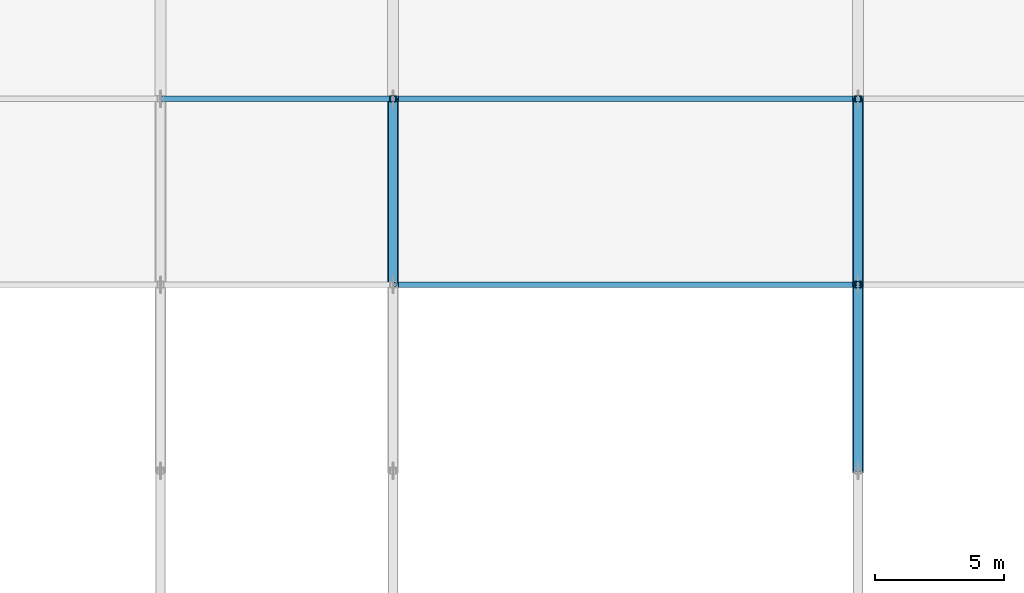
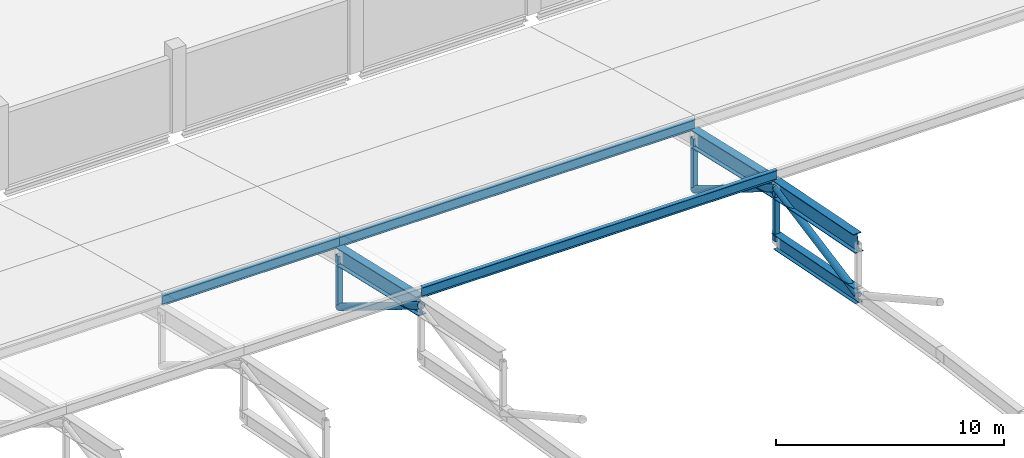
# One storey, part 33 of 124: 13 members.
"""IFC4 building model written with IfcOpenShell, lengths in metres."""

from ifc_helpers import new_model, si_unit, direction, frame, origin, origin_2d, place, context, subcontext, project, spatial, hollow_rectangle, hollow_circle, i_section, extrude, material, material_profile, profile_set, type_object, element, save


model = new_model("IFC4")

# Units and contexts
model_context = context("Model", 3, precision=1e-05, world=origin(), true_north=direction((0.0, 1.0)))
body_context = subcontext(model_context, "Body", "Model", "MODEL_VIEW")
ifc_project = project(units=[si_unit("LENGTHUNIT", "METRE"), si_unit("AREAUNIT", "SQUARE_METRE"), si_unit("VOLUMEUNIT", "CUBIC_METRE"), si_unit("PLANEANGLEUNIT", "RADIAN"), si_unit("MASSUNIT", "GRAM", prefix="KILO")], contexts=[model_context])

# Site, building, storey
site_placement = place(None, origin())
site = spatial("IfcSite", under=ifc_project, at=site_placement, CompositionType="ELEMENT")
building_placement = place(site_placement, origin())
building = spatial("IfcBuilding", under=site, at=building_placement, Name="Celestram Park Convention Centre", CompositionType="ELEMENT")
storey_placement = place(building_placement, frame((0.0, 0.0, 15.300048828125)))
storey = spatial("IfcBuildingStorey", under=building, at=storey_placement, Name="L03", CompositionType="ELEMENT", Elevation=15.300048828125)

# Members
ifc_material_1 = material(Name="Steel ASTM A500 Grade C", Category="steel")
ifc_material_profile_1 = material_profile(ifc_material_1, hollow_circle(Radius=0.177978515625, WallThickness=0.011962890625, at=origin_2d()), Name="CHS356X12")
ifc_profile_set_1 = profile_set([ifc_material_profile_1], Name="Steel ASTM A500 Grade C")
member_type_1 = type_object("IfcMemberType", Name="STR-BRC-CHS356", PredefinedType="BRACE", material=ifc_profile_set_1)
member_1_placement = place(storey_placement, frame((72.0, 86.39990234375, 3.5634765625), z_axis=(0.0, 0.850741852858, -0.525583770483), x_axis=(-1.0, 0.0, 0.0)))
element("IfcMember", 1, at=member_1_placement, inside=storey, type_object=member_type_1, Name="V1 arch web diagonal", PredefinedType="BRACE", context=body_context, shape_type="SweptSolid", body=[
    extrude(hollow_circle(Radius=0.177978515625, WallThickness=0.011962890625, at=origin_2d()), origin(), (0.0, 0.0, 1.0), 8.46337890625),
])
member_2_placement = place(storey_placement, frame((90.0, 79.199951171875, 2.181640625), z_axis=(0.0, 0.982076449011, 0.188483018595), x_axis=(-1.0, 0.0, 0.0)))
element("IfcMember", 2, at=member_2_placement, inside=storey, type_object=member_type_1, Name="V1 arch web diagonal", PredefinedType="BRACE", context=body_context, shape_type="SweptSolid", body=[
    extrude(hollow_circle(Radius=0.177978515625, WallThickness=0.011962890625, at=origin_2d()), origin(), (0.0, 0.0, 1.0), 7.331298828125),
])
member_3_placement = place(storey_placement, frame((90.0, 86.39990234375, 3.5634765625), z_axis=(0.0, 0.850741852858, -0.525583770483), x_axis=(-1.0, 0.0, 0.0)))
element("IfcMember", 3, at=member_3_placement, inside=storey, type_object=member_type_1, Name="V1 arch web diagonal", PredefinedType="BRACE", context=body_context, shape_type="SweptSolid", body=[
    extrude(hollow_circle(Radius=0.177978515625, WallThickness=0.011962890625, at=origin_2d()), origin(), (0.0, 0.0, 1.0), 8.46337890625),
])
ifc_material_2 = material(Name="Steel ASTM A992 Grade 50", Category="steel")
ifc_material_profile_2 = material_profile(ifc_material_2, i_section(OverallWidth=0.381103515625, OverallDepth=0.77197265625, WebThickness=0.0166015625, FlangeThickness=0.027099609375, at=origin_2d()), Name="W30X173")
ifc_profile_set_2 = profile_set([ifc_material_profile_2], Name="Steel ASTM A992 Grade 50")
member_type_2 = type_object("IfcMemberType", Name="STR-CHD-W30X173", PredefinedType="CHORD", material=ifc_profile_set_2)
member_4_placement = place(storey_placement, frame((90.0, 79.199951171875, 2.181640625), z_axis=(0.0, 0.981147221646, -0.193261815827), x_axis=(-1.0, 0.0, 0.0)))
element("IfcMember", 4, at=member_4_placement, inside=storey, type_object=member_type_2, Name="V1 arch bottom chord", PredefinedType="CHORD", context=body_context, shape_type="SweptSolid", body=[
    extrude(i_section(OverallWidth=0.381103515625, OverallDepth=0.77197265625, WebThickness=0.0166015625, FlangeThickness=0.027099609375, at=origin_2d()), origin(), (0.0, 0.0, 1.0), 7.33837890625),
])
ifc_material_profile_3 = material_profile(ifc_material_2, i_section(OverallWidth=0.4189453125, OverallDepth=0.927001953125, WebThickness=0.019287109375, FlangeThickness=0.031982421875, at=origin_2d()), Name="W36X231")
ifc_profile_set_3 = profile_set([ifc_material_profile_3], Name="Steel ASTM A992 Grade 50")
member_type_3 = type_object("IfcMemberType", Name="STR-CHD-W36X231", PredefinedType="CHORD", material=ifc_profile_set_3)
member_5_placement = place(storey_placement, frame((72.0, 86.39990234375, 3.5634765625), z_axis=(0.0, 0.974779673899, -0.223169414016), x_axis=(-1.0, 0.0, 0.0)))
element("IfcMember", 5, at=member_5_placement, inside=storey, type_object=member_type_3, Name="V1 arch top chord", PredefinedType="CHORD", context=body_context, shape_type="SweptSolid", body=[
    extrude(i_section(OverallWidth=0.4189453125, OverallDepth=0.927001953125, WebThickness=0.019287109375, FlangeThickness=0.031982421875, at=origin_2d()), origin(), (0.0, 0.0, 1.0), 7.386474609375),
])
member_6_placement = place(storey_placement, frame((90.0, 79.199951171875, 4.981689453125), z_axis=(0.0, 0.981147221646, -0.193261815827), x_axis=(-1.0, 0.0, 0.0)))
element("IfcMember", 6, at=member_6_placement, inside=storey, type_object=member_type_3, Name="V1 arch top chord", PredefinedType="CHORD", context=body_context, shape_type="SweptSolid", body=[
    extrude(i_section(OverallWidth=0.4189453125, OverallDepth=0.927001953125, WebThickness=0.019287109375, FlangeThickness=0.031982421875, at=origin_2d()), origin(), (0.0, 0.0, 1.0), 7.33837890625),
])
member_7_placement = place(storey_placement, frame((90.0, 86.39990234375, 3.5634765625), z_axis=(0.0, 0.974779673899, -0.223169414016), x_axis=(-1.0, 0.0, 0.0)))
element("IfcMember", 7, at=member_7_placement, inside=storey, type_object=member_type_3, Name="V1 arch top chord", PredefinedType="CHORD", context=body_context, shape_type="SweptSolid", body=[
    extrude(i_section(OverallWidth=0.4189453125, OverallDepth=0.927001953125, WebThickness=0.019287109375, FlangeThickness=0.031982421875, at=origin_2d()), origin(), (0.0, 0.0, 1.0), 7.386474609375),
])
ifc_material_profile_4 = material_profile(ifc_material_2, i_section(OverallWidth=0.2099609375, OverallDepth=0.532958984375, WebThickness=0.01025390625, FlangeThickness=0.015625, at=origin_2d()), Name="W21X62")
ifc_profile_set_4 = profile_set([ifc_material_profile_4], Name="Steel ASTM A992 Grade 50")
member_type_4 = type_object("IfcMemberType", Name="STR-RFT-W21X62", PredefinedType="RAFTER", material=ifc_profile_set_4)
member_8_placement = place(storey_placement, frame((63.0, 93.60009765625, 2.645263671875), z_axis=(1.0, 0.0, 0.0), x_axis=(0.0, 1.0, 0.0)))
element("IfcMember", 8, at=member_8_placement, inside=storey, type_object=member_type_4, Name="V1 roof purlin", PredefinedType="RAFTER", context=body_context, shape_type="SweptSolid", body=[
    extrude(i_section(OverallWidth=0.2099609375, OverallDepth=0.532958984375, WebThickness=0.01025390625, FlangeThickness=0.015625, at=origin_2d()), origin(), (0.0, 0.0, 1.0), 9.0),
])
for number, where, z_axis, x_axis, name in (
    (9, (72.0, 86.39990234375, 4.29345703125), (1.0, 0.0, 0.0), (0.0, 1.0, 0.0), "V1 roof purlin"),
    (10, (72.0, 93.60009765625, 2.645263671875), (1.0, 0.0, 0.0), (0.0, 1.0, 0.0), "V1 roof purlin"),
):
    element("IfcMember", number, at=place(storey_placement, frame(where, z_axis=z_axis, x_axis=x_axis)), inside=storey, type_object=member_type_4, Name=name, PredefinedType="RAFTER", context=body_context, shape_type="SweptSolid", body=[
        extrude(i_section(OverallWidth=0.2099609375, OverallDepth=0.532958984375, WebThickness=0.01025390625, FlangeThickness=0.015625, at=origin_2d()), origin(), (0.0, 0.0, 1.0), 18.0),
    ])
ifc_material_profile_5 = material_profile(ifc_material_1, hollow_rectangle(XDim=0.25, YDim=0.25, WallThickness=0.011962890625, at=origin_2d()), Name="HSS250X250X12")
ifc_profile_set_5 = profile_set([ifc_material_profile_5], Name="Steel ASTM A500 Grade C")
member_type_5 = type_object("IfcMemberType", Name="STR-STR-HSS250", PredefinedType="STRUT", material=ifc_profile_set_5)
member_9_placement = place(storey_placement, frame((72.0, 93.60009765625, -0.884765625), z_axis=(0.0, 0.0, 1.0), x_axis=(1.0, 0.0, 0.0)))
element("IfcMember", 11, at=member_9_placement, inside=storey, type_object=member_type_5, Name="V1 arch vertical strut", PredefinedType="STRUT", context=body_context, shape_type="SweptSolid", body=[
    extrude(hollow_rectangle(XDim=0.25, YDim=0.25, WallThickness=0.011962890625, at=origin_2d()), origin(), (0.0, 0.0, 1.0), 2.7998046875),
])
member_10_placement = place(storey_placement, frame((90.0, 86.39990234375, 0.763427734375), z_axis=(0.0, 0.0, 1.0), x_axis=(1.0, 0.0, 0.0)))
element("IfcMember", 12, at=member_10_placement, inside=storey, type_object=member_type_5, Name="V1 arch vertical strut", PredefinedType="STRUT", context=body_context, shape_type="SweptSolid", body=[
    extrude(hollow_rectangle(XDim=0.25, YDim=0.25, WallThickness=0.011962890625, at=origin_2d()), origin(), (0.0, 0.0, 1.0), 2.800048828125),
])
member_11_placement = place(storey_placement, frame((90.0, 93.60009765625, -0.884765625), z_axis=(0.0, 0.0, 1.0), x_axis=(1.0, 0.0, 0.0)))
element("IfcMember", 13, at=member_11_placement, inside=storey, type_object=member_type_5, Name="V1 arch vertical strut", PredefinedType="STRUT", context=body_context, shape_type="SweptSolid", body=[
    extrude(hollow_rectangle(XDim=0.25, YDim=0.25, WallThickness=0.011962890625, at=origin_2d()), origin(), (0.0, 0.0, 1.0), 2.7998046875),
])

save(model, "model.ifc")
